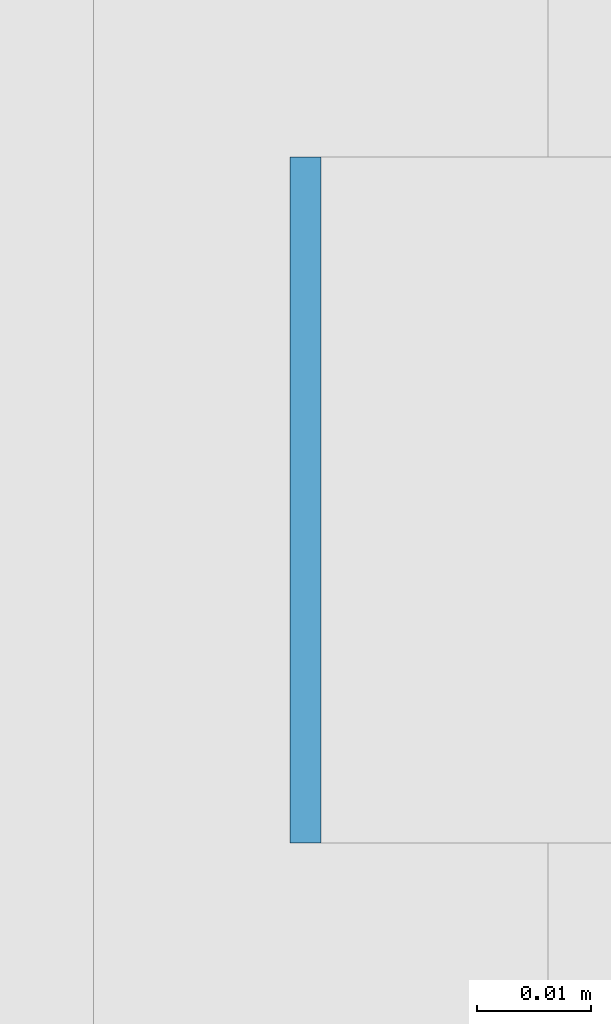
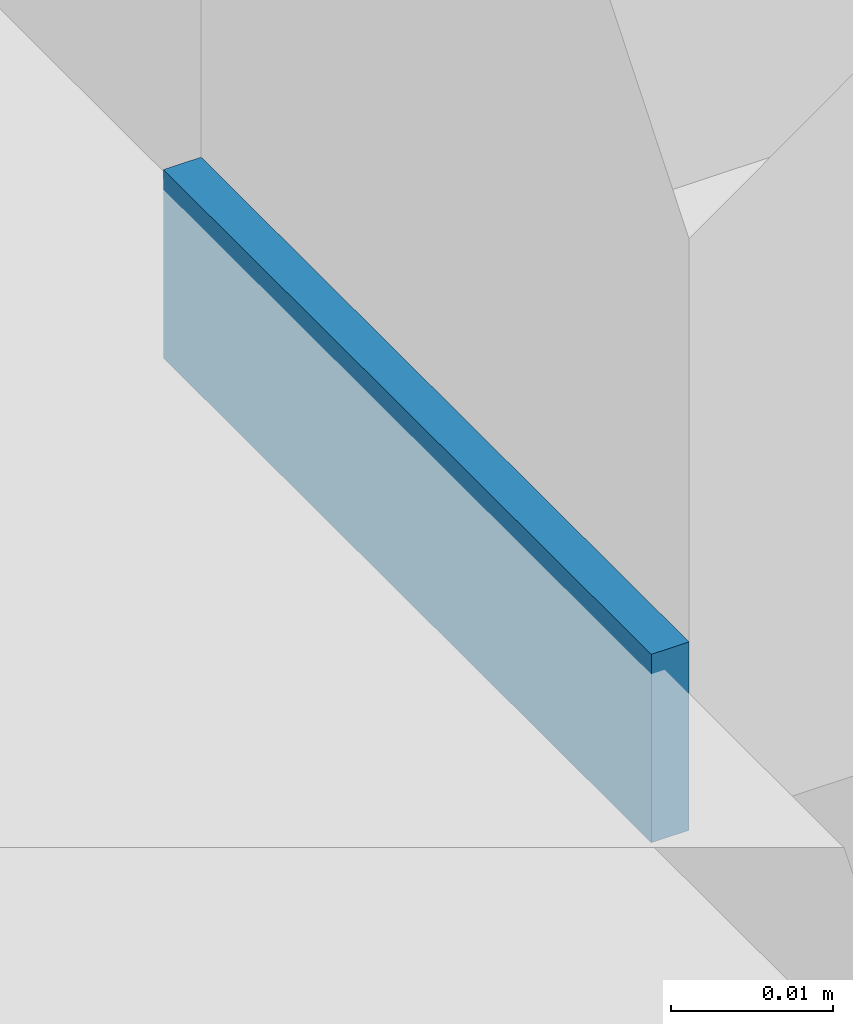
# One storey, part 438 of 646: 1 discrete accessory.
"""IFC4 building model written with IfcOpenShell, lengths in metres."""

from ifc_helpers import new_model, si_unit, direction, frame, origin, origin_2d, place, context, subcontext, project, spatial, rectangle, extrude, material, type_object, element, save


model = new_model("IFC4")

# Units and contexts
model_context = context("Model", 3, precision=1e-05, world=origin(), true_north=direction((0.0, 1.0)))
body_context = subcontext(model_context, "Body", "Model", "MODEL_VIEW")
ifc_project = project(units=[si_unit("LENGTHUNIT", "METRE"), si_unit("AREAUNIT", "SQUARE_METRE"), si_unit("VOLUMEUNIT", "CUBIC_METRE"), si_unit("PLANEANGLEUNIT", "RADIAN"), si_unit("MASSUNIT", "GRAM", prefix="KILO")], contexts=[model_context])

# Site, building, storey
site_placement = place(None, origin())
site = spatial("IfcSite", under=ifc_project, at=site_placement, CompositionType="ELEMENT")
building_placement = place(site_placement, origin())
building = spatial("IfcBuilding", under=site, at=building_placement, Name="Silverbay Arena", CompositionType="ELEMENT")
storey_placement = place(building_placement, frame((0.0, 0.0, 33.5)))
storey = spatial("IfcBuildingStorey", under=building, at=storey_placement, Name="L05", CompositionType="ELEMENT", Elevation=33.5)

# Discrete accessory
ifc_material = material(Name="Steel S355", Category="steel")
discrete_accessory_type = type_object("IfcDiscreteAccessoryType", Name="Steel bracket plate", PredefinedType="BRACKET", material=ifc_material)
discrete_accessory_placement = place(storey_placement, frame((207.128662109375, 31.699951171875, 4.0), z_axis=(0.0, 0.0, 1.0), x_axis=(1.0, 0.0, 0.0)))
element("IfcDiscreteAccessory", 1, at=discrete_accessory_placement, inside=storey, type_object=discrete_accessory_type, Name="Curtain wall packing plate", PredefinedType="BRACKET", context=body_context, shape_type="SweptSolid", body=[
    extrude(rectangle(XDim=0.002685546875, YDim=0.06005859375, at=origin_2d()), origin(), (0.0, 0.0, 1.0), 0.01416015625),
])

save(model, "model.ifc")
